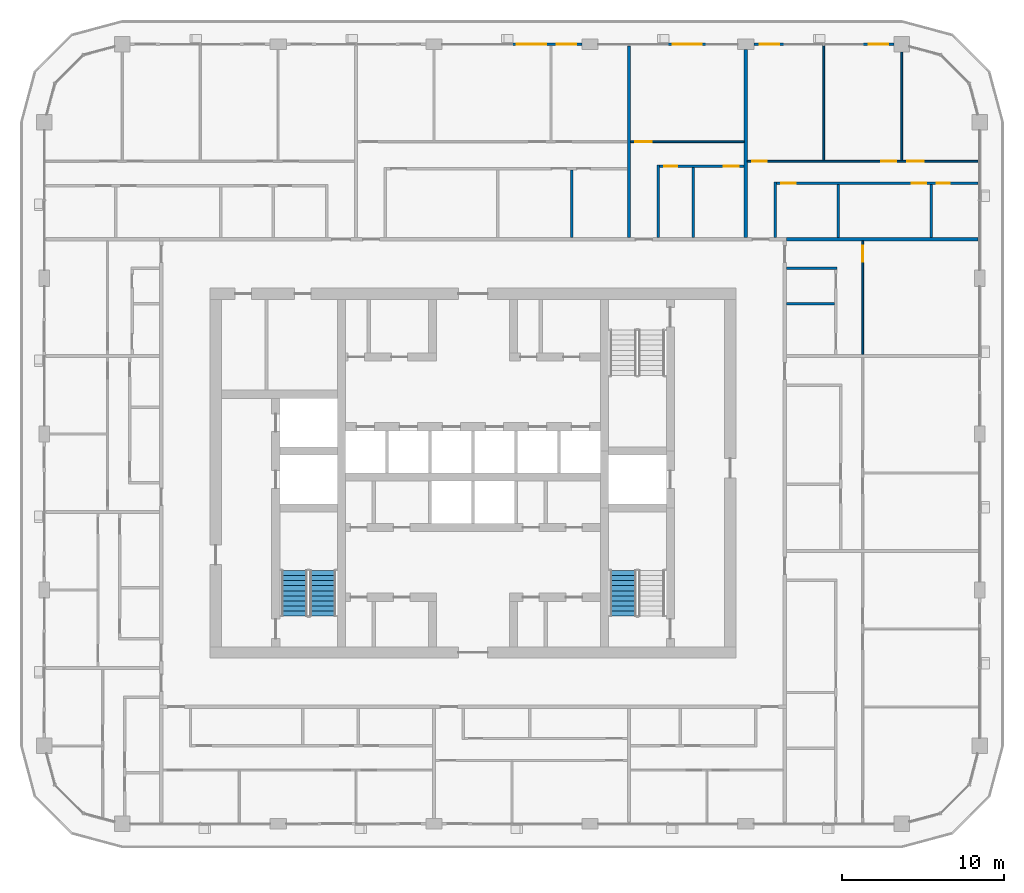
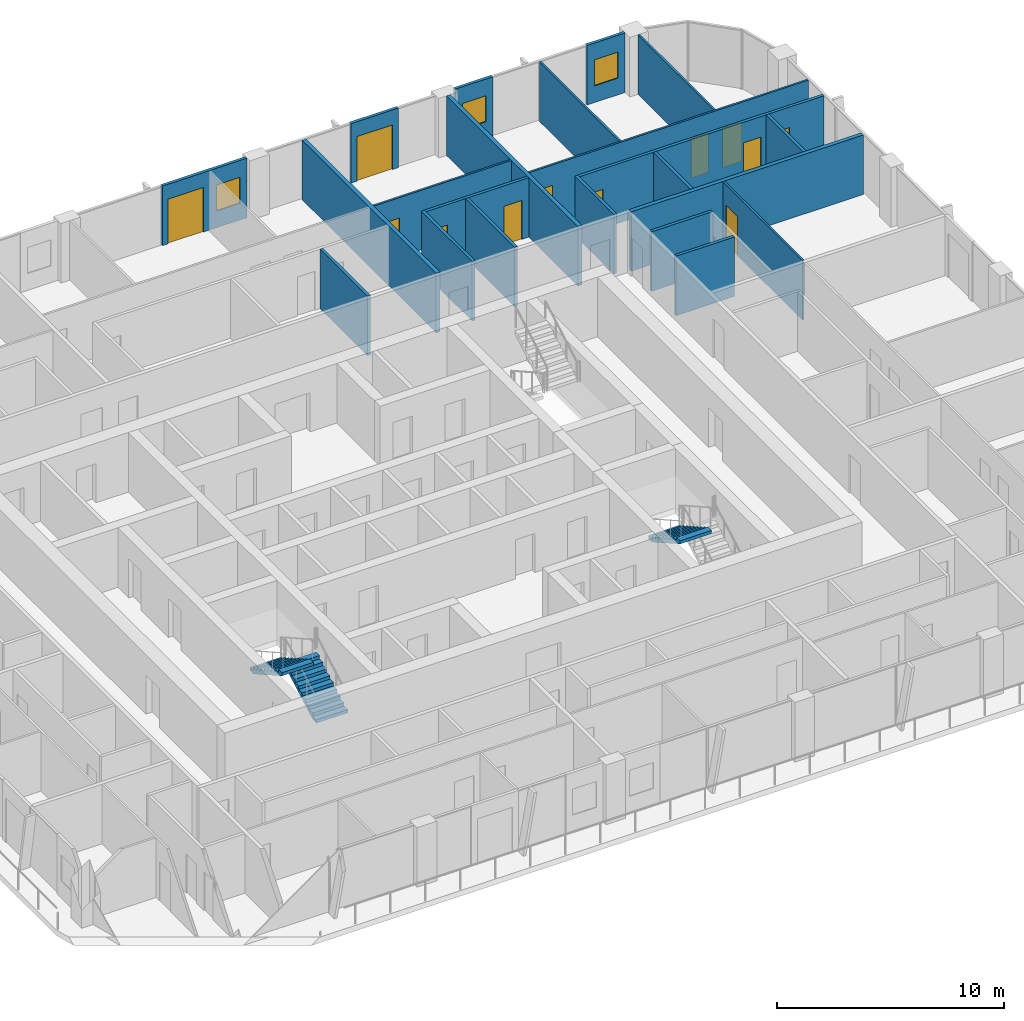
# One storey, part 15 of 23: 22 walls, 12 doors, 3 stair flights, 3 windows, 15 openings, 2 elements without a shape of their own.
"""IFC4 building model written with IfcOpenShell, lengths in metres."""

from ifc_helpers import new_model, si_unit, direction, frame, frame_2d, origin, place, context, subcontext, project, spatial, polyline, rectangle, outline, extrude, material, layer, layer_set, type_object, element, fill, aggregate, save


model = new_model("IFC4")

# Units and contexts
model_context = context("Model", 3, precision=1e-05, world=origin(), true_north=direction((0.0, 1.0)))
body_context = subcontext(model_context, "Body", "Model", "MODEL_VIEW")
ifc_project = project(units=[si_unit("LENGTHUNIT", "METRE"), si_unit("AREAUNIT", "SQUARE_METRE"), si_unit("VOLUMEUNIT", "CUBIC_METRE"), si_unit("PLANEANGLEUNIT", "RADIAN"), si_unit("MASSUNIT", "GRAM", prefix="KILO")], contexts=[model_context])

# Site, building, storey
site_placement = place(None, origin())
site = spatial("IfcSite", under=ifc_project, at=site_placement, CompositionType="ELEMENT")
building_placement = place(site_placement, origin())
building = spatial("IfcBuilding", under=site, at=building_placement, Name="Madar Terraces", CompositionType="ELEMENT")
storey_placement = place(building_placement, frame((0.0, 0.0, 212.300048828125)))
storey = spatial("IfcBuildingStorey", under=building, at=storey_placement, Name="L55", CompositionType="ELEMENT", Elevation=212.300048828125)

# Wall, opening, window
ifc_material_1 = material(Name="Aluminium composite panel, black, over insulated backing", Category="aluminium")
ifc_layer_1 = layer(ifc_material_1, 0.14990234375)
ifc_layer_set_1 = layer_set([ifc_layer_1], Name="Facade bay panel 150")
wall_type_1 = type_object("IfcWallType", Name="Facade bay panel 150", PredefinedType="SOLIDWALL", material=ifc_layer_set_1)
wall_1_placement = place(storey_placement, frame((57.125, 52.800048828125, 0.0), z_axis=(0.0, 0.0, 1.0), x_axis=(-1.0, 0.0, 0.0)))
wall_1 = element("IfcWall", 1, at=wall_1_placement, inside=storey, type_object=wall_type_1, Name="Facade bay panel", PredefinedType="SOLIDWALL", context=body_context, shape_type="SweptSolid", body=[
    extrude(rectangle(XDim=1.925048828125, YDim=0.14990234375, at=frame_2d((0.96240234375, 0.0))), origin(), (0.0, 0.0, 1.0), 3.199951171875),
])
opening_1_placement = place(wall_1_placement, frame((0.362548828125, 0.0, 0.89990234375)))
opening_1 = element("IfcOpeningElement", 2, at=opening_1_placement, cuts=wall_1, Name="Opening W1", PredefinedType="OPENING", context=body_context, shape_type="SweptSolid", body=[
    extrude(rectangle(XDim=1.199951171875, YDim=1.39990234375, at=frame_2d((0.60009765625, 0.699951171875))), frame((0.0, 0.0849609375, 0.0), z_axis=(0.0, -1.0, 0.0), x_axis=(1.0, 0.0, 0.0)), (0.0, 0.0, 1.0), 0.169921875),
])
ifc_material_2 = material(Name="Glass, clear, with black aluminium frame", Category="aluminium")
window_type = type_object("IfcWindowType", Name="Vent window 1200 x 1400", PartitioningType="SINGLE_PANEL", PredefinedType="WINDOW", material=ifc_material_2)
window_1_placement = place(opening_1_placement, origin())
window_1 = element("IfcWindow", 3, at=window_1_placement, inside=storey, type_object=window_type, Name="Operable vent window", OverallHeight=1.39990234375, OverallWidth=1.199951171875, PartitioningType="SINGLE_PANEL", PredefinedType="WINDOW", context=body_context, shape_type="SweptSolid", body=[
    extrude(rectangle(XDim=1.199951171875, YDim=1.39990234375, at=frame_2d((0.60009765625, 0.699951171875))), frame((0.0, 0.030029296875, 0.0), z_axis=(0.0, -1.0, 0.0), x_axis=(1.0, 0.0, 0.0)), (0.0, 0.0, 1.0), 0.06005859375),
])
fill(opening_1, window_1)

wall_2_placement = place(storey_placement, frame((50.39990234375, 52.800048828125, 0.0), z_axis=(0.0, 0.0, 1.0), x_axis=(-1.0, 0.0, 0.0)))
wall_2 = element("IfcWall", 4, at=wall_2_placement, inside=storey, type_object=wall_type_1, Name="Facade bay panel", PredefinedType="SOLIDWALL", context=body_context, shape_type="SweptSolid", body=[
    extrude(rectangle(XDim=1.89990234375, YDim=0.14990234375, at=frame_2d((0.949951171875, 0.0))), origin(), (0.0, 0.0, 1.0), 3.199951171875),
])
opening_2_placement = place(wall_2_placement, frame((0.35009765625, 0.0, 0.89990234375)))
opening_2 = element("IfcOpeningElement", 5, at=opening_2_placement, cuts=wall_2, Name="Opening W1", PredefinedType="OPENING", context=body_context, shape_type="SweptSolid", body=[
    extrude(rectangle(XDim=1.199951171875, YDim=1.39990234375, at=frame_2d((0.60009765625, 0.699951171875))), frame((0.0, 0.0849609375, 0.0), z_axis=(0.0, -1.0, 0.0), x_axis=(1.0, 0.0, 0.0)), (0.0, 0.0, 1.0), 0.169921875),
])
window_2_placement = place(opening_2_placement, origin())
window_2 = element("IfcWindow", 6, at=window_2_placement, inside=storey, type_object=window_type, Name="Operable vent window", OverallHeight=1.39990234375, OverallWidth=1.199951171875, PartitioningType="SINGLE_PANEL", PredefinedType="WINDOW", context=body_context, shape_type="SweptSolid", body=[
    extrude(rectangle(XDim=1.199951171875, YDim=1.39990234375, at=frame_2d((0.60009765625, 0.699951171875))), frame((0.0, 0.030029296875, 0.0), z_axis=(0.0, -1.0, 0.0), x_axis=(1.0, 0.0, 0.0)), (0.0, 0.0, 1.0), 0.06005859375),
])
fill(opening_2, window_2)

# Wall, opening, door
wall_3_placement = place(storey_placement, frame((45.60009765625, 52.800048828125, 0.0), z_axis=(0.0, 0.0, 1.0), x_axis=(-1.0, 0.0, 0.0)))
wall_3 = element("IfcWall", 7, at=wall_3_placement, inside=storey, type_object=wall_type_1, Name="Facade bay panel", PredefinedType="SOLIDWALL", context=body_context, shape_type="SweptSolid", body=[
    extrude(rectangle(XDim=2.400146484375, YDim=0.14990234375, at=frame_2d((1.2001953125, 0.0))), origin(), (0.0, 0.0, 1.0), 3.199951171875),
])
opening_3_placement = place(wall_3_placement, frame((0.300048828125, 0.0, 0.0)))
opening_3 = element("IfcOpeningElement", 8, at=opening_3_placement, cuts=wall_3, Name="Opening ED1", PredefinedType="OPENING", context=body_context, shape_type="SweptSolid", body=[
    extrude(rectangle(XDim=1.800048828125, YDim=2.39990234375, at=frame_2d((0.89990234375, 1.199951171875))), frame((0.0, 0.0849609375, 0.0), z_axis=(0.0, -1.0, 0.0), x_axis=(1.0, 0.0, 0.0)), (0.0, 0.0, 1.0), 0.169921875),
])
ifc_material_3 = material(Name="Glass, clear, with black aluminium frame", Category="aluminium")
door_type_1 = type_object("IfcDoorType", Name="Balcony and terrace sliding door 1800 x 2400", OperationType="SLIDING_TO_LEFT", PredefinedType="DOOR", material=ifc_material_3)
door_1_placement = place(opening_3_placement, origin())
door_1 = element("IfcDoor", 9, at=door_1_placement, inside=storey, type_object=door_type_1, Name="Balcony door", OperationType="SLIDING_TO_LEFT", OverallHeight=2.39990234375, OverallWidth=1.800048828125, PredefinedType="DOOR", context=body_context, shape_type="SweptSolid", body=[
    extrude(rectangle(XDim=1.800048828125, YDim=2.39990234375, at=frame_2d((0.89990234375, 1.199951171875))), frame((0.0, 0.02490234375, 0.0), z_axis=(0.0, -1.0, 0.0), x_axis=(1.0, 0.0, 0.0)), (0.0, 0.0, 1.0), 0.050048828125),
])
fill(opening_3, door_1)

# Wall, openings, door, window
wall_4_placement = place(storey_placement, frame((37.89990234375, 52.800048828125, 0.0), z_axis=(0.0, 0.0, 1.0), x_axis=(-1.0, 0.0, 0.0)))
wall_4 = element("IfcWall", 10, at=wall_4_placement, inside=storey, type_object=wall_type_1, Name="Facade bay panel", PredefinedType="SOLIDWALL", context=body_context, shape_type="SweptSolid", body=[
    extrude(rectangle(XDim=4.2998046875, YDim=0.14990234375, at=frame_2d((2.14990234375, 0.0))), origin(), (0.0, 0.0, 1.0), 3.199951171875),
])
opening_4_placement = place(wall_4_placement, frame((0.35009765625, 0.0, 0.89990234375)))
opening_4 = element("IfcOpeningElement", 11, at=opening_4_placement, cuts=wall_4, Name="Opening W1", PredefinedType="OPENING", context=body_context, shape_type="SweptSolid", body=[
    extrude(rectangle(XDim=1.199951171875, YDim=1.39990234375, at=frame_2d((0.60009765625, 0.699951171875))), frame((0.0, 0.0849609375, 0.0), z_axis=(0.0, -1.0, 0.0), x_axis=(1.0, 0.0, 0.0)), (0.0, 0.0, 1.0), 0.169921875),
])
opening_5_placement = place(wall_4_placement, frame((2.199951171875, 0.0, 0.0)))
opening_5 = element("IfcOpeningElement", 12, at=opening_5_placement, cuts=wall_4, Name="Opening ED1", PredefinedType="OPENING", context=body_context, shape_type="SweptSolid", body=[
    extrude(rectangle(XDim=1.800048828125, YDim=2.39990234375, at=frame_2d((0.89990234375, 1.199951171875))), frame((0.0, 0.0849609375, 0.0), z_axis=(0.0, -1.0, 0.0), x_axis=(1.0, 0.0, 0.0)), (0.0, 0.0, 1.0), 0.169921875),
])
door_2_placement = place(opening_5_placement, origin())
door_2 = element("IfcDoor", 13, at=door_2_placement, inside=storey, type_object=door_type_1, Name="Balcony door", OperationType="SLIDING_TO_RIGHT", OverallHeight=2.39990234375, OverallWidth=1.800048828125, PredefinedType="DOOR", context=body_context, shape_type="SweptSolid", body=[
    extrude(rectangle(XDim=1.800048828125, YDim=2.39990234375, at=frame_2d((0.89990234375, 1.199951171875))), frame((0.0, 0.02490234375, 0.0), z_axis=(0.0, -1.0, 0.0), x_axis=(1.0, 0.0, 0.0)), (0.0, 0.0, 1.0), 0.050048828125),
])
fill(opening_5, door_2)
window_3_placement = place(opening_4_placement, origin())
window_3 = element("IfcWindow", 14, at=window_3_placement, inside=storey, type_object=window_type, Name="Operable vent window", OverallHeight=1.39990234375, OverallWidth=1.199951171875, PartitioningType="SINGLE_PANEL", PredefinedType="WINDOW", context=body_context, shape_type="SweptSolid", body=[
    extrude(rectangle(XDim=1.199951171875, YDim=1.39990234375, at=frame_2d((0.60009765625, 0.699951171875))), frame((0.0, 0.030029296875, 0.0), z_axis=(0.0, -1.0, 0.0), x_axis=(1.0, 0.0, 0.0)), (0.0, 0.0, 1.0), 0.06005859375),
])
fill(opening_4, window_3)

# Wall, opening, door
ifc_material_4 = material(Name="Gypsum board on steel studs", Category="steel")
ifc_layer_2 = layer(ifc_material_4, 0.10009765625)
ifc_layer_set_2 = layer_set([ifc_layer_2], Name="Flat partition 100")
wall_type_2 = type_object("IfcWallType", Name="Flat partition 100", PredefinedType="PARTITIONING", material=ifc_layer_set_2)
wall_5_placement = place(storey_placement, frame((55.199951171875, 40.699951171875, 0.0), z_axis=(0.0, 0.0, 1.0), x_axis=(0.0, -1.0, 0.0)))
wall_5 = element("IfcWall", 15, at=wall_5_placement, inside=storey, type_object=wall_type_2, Name="Flat partition 100", PredefinedType="PARTITIONING", context=body_context, shape_type="SweptSolid", body=[
    extrude(rectangle(XDim=7.0, YDim=0.10009765625, at=frame_2d((3.5, 0.0))), origin(), (0.0, 0.0, 1.0), 3.199951171875),
])
opening_6_placement = place(wall_5_placement, frame((0.300048828125, 0.0, 0.0)))
opening_6 = element("IfcOpeningElement", 16, at=opening_6_placement, cuts=wall_5, Name="Opening D3", PredefinedType="OPENING", context=body_context, shape_type="SweptSolid", body=[
    extrude(rectangle(XDim=1.0, YDim=2.10009765625, at=frame_2d((0.5, 1.050048828125))), frame((0.0, 0.06005859375, 0.0), z_axis=(0.0, -1.0, 0.0), x_axis=(1.0, 0.0, 0.0)), (0.0, 0.0, 1.0), 0.1201171875),
])
ifc_material_5 = material(Name="Timber door leaf", Category="wood")
door_type_2 = type_object("IfcDoorType", Name="Flat living room door 1000", OperationType="NOTDEFINED", PredefinedType="DOOR", material=ifc_material_5)
door_3_placement = place(opening_6_placement, origin())
door_3 = element("IfcDoor", 17, at=door_3_placement, inside=storey, type_object=door_type_2, Name="Flat living room door 1000", OperationType="SINGLE_SWING_LEFT", OverallHeight=2.10009765625, OverallWidth=1.0, PredefinedType="DOOR", context=body_context, shape_type="SweptSolid", body=[
    extrude(rectangle(XDim=1.0, YDim=2.10009765625, at=frame_2d((0.5, 1.050048828125))), frame((0.0, 0.02490234375, 0.0), z_axis=(0.0, -1.0, 0.0), x_axis=(1.0, 0.0, 0.0)), (0.0, 0.0, 1.0), 0.050048828125),
])
fill(opening_6, door_3)

# Walls
wall_6_placement = place(storey_placement, frame((52.800048828125, 45.64990234375, 0.0), z_axis=(0.0, 0.0, 1.0), x_axis=(0.0, 1.0, 0.0)))
element("IfcWall", 18, at=wall_6_placement, inside=storey, type_object=wall_type_2, Name="Flat partition 100", PredefinedType="PARTITIONING", context=body_context, shape_type="SweptSolid", body=[
    extrude(rectangle(XDim=7.050048828125, YDim=0.10009765625, at=frame_2d((3.52490234375, 0.0))), origin(), (0.0, 0.0, 1.0), 3.199951171875),
])
wall_7_placement = place(storey_placement, frame((57.60009765625, 45.64990234375, 0.0), z_axis=(0.0, 0.0, 1.0), x_axis=(0.0, 1.0, 0.0)))
element("IfcWall", 19, at=wall_7_placement, inside=storey, type_object=wall_type_2, Name="Flat partition 100", PredefinedType="PARTITIONING", context=body_context, shape_type="SweptSolid", body=[
    extrude(rectangle(XDim=6.675048828125, YDim=0.10009765625, at=frame_2d((3.33740234375, 0.0))), origin(), (0.0, 0.0, 1.0), 3.199951171875),
])

# Wall, openings, doors
wall_8_placement = place(storey_placement, frame((48.10009765625, 45.60009765625, 0.0), z_axis=(0.0, 0.0, 1.0), x_axis=(1.0, 0.0, 0.0)))
wall_8 = element("IfcWall", 20, at=wall_8_placement, inside=storey, type_object=wall_type_2, Name="Flat partition 100", PredefinedType="PARTITIONING", context=body_context, shape_type="SweptSolid", body=[
    extrude(rectangle(XDim=14.199951171875, YDim=0.10009765625, at=frame_2d((7.10009765625, 0.0))), origin(), (0.0, 0.0, 1.0), 3.199951171875),
])
opening_7_placement = place(wall_8_placement, frame((0.300048828125, 0.0, 0.0)))
opening_7 = element("IfcOpeningElement", 21, at=opening_7_placement, cuts=wall_8, Name="Opening D2", PredefinedType="OPENING", context=body_context, shape_type="SweptSolid", body=[
    extrude(rectangle(XDim=0.89990234375, YDim=2.10009765625, at=frame_2d((0.449951171875, 1.050048828125))), frame((0.0, 0.06005859375, 0.0), z_axis=(0.0, -1.0, 0.0), x_axis=(1.0, 0.0, 0.0)), (0.0, 0.0, 1.0), 0.1201171875),
])
opening_8_placement = place(wall_8_placement, frame((8.25, 0.0, 0.0)))
opening_8 = element("IfcOpeningElement", 22, at=opening_8_placement, cuts=wall_8, Name="Opening D2", PredefinedType="OPENING", context=body_context, shape_type="SweptSolid", body=[
    extrude(rectangle(XDim=0.89990234375, YDim=2.10009765625, at=frame_2d((0.449951171875, 1.050048828125))), frame((0.0, 0.06005859375, 0.0), z_axis=(0.0, -1.0, 0.0), x_axis=(1.0, 0.0, 0.0)), (0.0, 0.0, 1.0), 0.1201171875),
])
opening_9_placement = place(wall_8_placement, frame((9.85009765625, 0.0, 0.0)))
opening_9 = element("IfcOpeningElement", 23, at=opening_9_placement, cuts=wall_8, Name="Opening D3", PredefinedType="OPENING", context=body_context, shape_type="SweptSolid", body=[
    extrude(rectangle(XDim=1.0, YDim=2.10009765625, at=frame_2d((0.5, 1.050048828125))), frame((0.0, 0.06005859375, 0.0), z_axis=(0.0, -1.0, 0.0), x_axis=(1.0, 0.0, 0.0)), (0.0, 0.0, 1.0), 0.1201171875),
])
door_4_placement = place(opening_9_placement, origin())
door_4 = element("IfcDoor", 24, at=door_4_placement, inside=storey, type_object=door_type_2, Name="Flat living room door 1000", OperationType="SINGLE_SWING_LEFT", OverallHeight=2.10009765625, OverallWidth=1.0, PredefinedType="DOOR", context=body_context, shape_type="SweptSolid", body=[
    extrude(rectangle(XDim=1.0, YDim=2.10009765625, at=frame_2d((0.5, 1.050048828125))), frame((0.0, 0.02490234375, 0.0), z_axis=(0.0, -1.0, 0.0), x_axis=(1.0, 0.0, 0.0)), (0.0, 0.0, 1.0), 0.050048828125),
])
fill(opening_9, door_4)
ifc_material_6 = material(Name="Timber door leaf", Category="wood")
door_type_3 = type_object("IfcDoorType", Name="Flat room door 900", OperationType="NOTDEFINED", PredefinedType="DOOR", material=ifc_material_6)
door_5_placement = place(opening_7_placement, origin())
door_5 = element("IfcDoor", 25, at=door_5_placement, inside=storey, type_object=door_type_3, Name="Flat room door 900", OperationType="SINGLE_SWING_LEFT", OverallHeight=2.10009765625, OverallWidth=0.89990234375, PredefinedType="DOOR", context=body_context, shape_type="SweptSolid", body=[
    extrude(rectangle(XDim=0.89990234375, YDim=2.10009765625, at=frame_2d((0.449951171875, 1.050048828125))), frame((0.0, 0.02490234375, 0.0), z_axis=(0.0, -1.0, 0.0), x_axis=(1.0, 0.0, 0.0)), (0.0, 0.0, 1.0), 0.050048828125),
])
fill(opening_7, door_5)
door_6_placement = place(opening_8_placement, origin())
door_6 = element("IfcDoor", 26, at=door_6_placement, inside=storey, type_object=door_type_3, Name="Flat room door 900", OperationType="SINGLE_SWING_RIGHT", OverallHeight=2.10009765625, OverallWidth=0.89990234375, PredefinedType="DOOR", context=body_context, shape_type="SweptSolid", body=[
    extrude(rectangle(XDim=0.89990234375, YDim=2.10009765625, at=frame_2d((0.449951171875, 1.050048828125))), frame((0.0, 0.02490234375, 0.0), z_axis=(0.0, -1.0, 0.0), x_axis=(1.0, 0.0, 0.0)), (0.0, 0.0, 1.0), 0.050048828125),
])
fill(opening_8, door_6)

# Wall, opening, door
wall_9_placement = place(storey_placement, frame((40.89990234375, 46.800048828125, 0.0), z_axis=(0.0, 0.0, 1.0), x_axis=(1.0, 0.0, 0.0)))
wall_9 = element("IfcWall", 27, at=wall_9_placement, inside=storey, type_object=wall_type_2, Name="Flat partition 100", PredefinedType="PARTITIONING", context=body_context, shape_type="SweptSolid", body=[
    extrude(rectangle(XDim=7.0, YDim=0.10009765625, at=frame_2d((3.5, 0.0))), origin(), (0.0, 0.0, 1.0), 3.199951171875),
])
opening_10_placement = place(wall_9_placement, frame((0.300048828125, 0.0, 0.0)))
opening_10 = element("IfcOpeningElement", 28, at=opening_10_placement, cuts=wall_9, Name="Opening D3", PredefinedType="OPENING", context=body_context, shape_type="SweptSolid", body=[
    extrude(rectangle(XDim=1.0, YDim=2.10009765625, at=frame_2d((0.5, 1.050048828125))), frame((0.0, 0.06005859375, 0.0), z_axis=(0.0, -1.0, 0.0), x_axis=(1.0, 0.0, 0.0)), (0.0, 0.0, 1.0), 0.1201171875),
])
door_7_placement = place(opening_10_placement, origin())
door_7 = element("IfcDoor", 29, at=door_7_placement, inside=storey, type_object=door_type_2, Name="Flat living room door 1000", OperationType="SINGLE_SWING_LEFT", OverallHeight=2.10009765625, OverallWidth=1.0, PredefinedType="DOOR", context=body_context, shape_type="SweptSolid", body=[
    extrude(rectangle(XDim=1.0, YDim=2.10009765625, at=frame_2d((0.5, 1.050048828125))), frame((0.0, 0.02490234375, 0.0), z_axis=(0.0, -1.0, 0.0), x_axis=(1.0, 0.0, 0.0)), (0.0, 0.0, 1.0), 0.050048828125),
])
fill(opening_10, door_7)

# Walls
ifc_material_7 = material(Name="Lightweight blockwork", Category="masonry")
ifc_layer_3 = layer(ifc_material_7, 0.199951171875)
ifc_layer_set_3 = layer_set([ifc_layer_3], Name="Flat party and entrance wall 200")
wall_type_3 = type_object("IfcWallType", Name="Flat party and entrance wall 200", PredefinedType="PARTITIONING", material=ifc_layer_set_3)
wall_10_placement = place(storey_placement, frame((50.5, 40.800048828125, 0.0), z_axis=(0.0, 0.0, 1.0), x_axis=(1.0, 0.0, 0.0)))
element("IfcWall", 30, at=wall_10_placement, inside=storey, type_object=wall_type_3, Name="Flat party and entrance wall 200", PredefinedType="PARTITIONING", context=body_context, shape_type="SweptSolid", body=[
    extrude(rectangle(XDim=11.800048828125, YDim=0.199951171875, at=frame_2d((5.89990234375, 0.0))), origin(), (0.0, 0.0, 1.0), 3.199951171875),
])
wall_11_placement = place(storey_placement, frame((48.0, 52.47509765625, 0.0), z_axis=(0.0, 0.0, 1.0), x_axis=(0.0, -1.0, 0.0)))
element("IfcWall", 31, at=wall_11_placement, inside=storey, type_object=wall_type_3, Name="Flat party and entrance wall 200", PredefinedType="PARTITIONING", context=body_context, shape_type="SweptSolid", body=[
    extrude(rectangle(XDim=11.5751953125, YDim=0.199951171875, at=frame_2d((5.78759765625, 0.0))), origin(), (0.0, 0.0, 1.0), 3.199951171875),
])
wall_12_placement = place(storey_placement, frame((40.800048828125, 52.699951171875, 0.0), z_axis=(0.0, 0.0, 1.0), x_axis=(0.0, -1.0, 0.0)))
element("IfcWall", 32, at=wall_12_placement, inside=storey, type_object=wall_type_3, Name="Flat party and entrance wall 200", PredefinedType="PARTITIONING", context=body_context, shape_type="SweptSolid", body=[
    extrude(rectangle(XDim=11.800048828125, YDim=0.199951171875, at=frame_2d((5.89990234375, 0.0))), origin(), (0.0, 0.0, 1.0), 3.199951171875),
])
ifc_material_8 = material(Name="Lightweight blockwork", Category="masonry")
ifc_layer_4 = layer(ifc_material_8, 0.14990234375)
ifc_layer_set_4 = layer_set([ifc_layer_4], Name="Flat wet-room partition 150")
wall_type_4 = type_object("IfcWallType", Name="Flat wet-room partition 150", PredefinedType="PARTITIONING", material=ifc_layer_set_4)
wall_13_placement = place(storey_placement, frame((50.5, 36.8349609375, 0.0), z_axis=(0.0, 0.0, 1.0), x_axis=(1.0, 0.0, 0.0)))
element("IfcWall", 33, at=wall_13_placement, inside=storey, type_object=wall_type_4, Name="Flat wet-room partition 150", PredefinedType="PARTITIONING", context=body_context, shape_type="SweptSolid", body=[
    extrude(rectangle(XDim=2.97509765625, YDim=0.14990234375, at=frame_2d((1.487548828125, 0.0))), origin(), (0.0, 0.0, 1.0), 3.199951171875),
])
wall_14_placement = place(storey_placement, frame((50.5, 39.0, 0.0), z_axis=(0.0, 0.0, 1.0), x_axis=(1.0, 0.0, 0.0)))
element("IfcWall", 34, at=wall_14_placement, inside=storey, type_object=wall_type_4, Name="Flat wet-room partition 150", PredefinedType="PARTITIONING", context=body_context, shape_type="SweptSolid", body=[
    extrude(rectangle(XDim=3.125, YDim=0.14990234375, at=frame_2d((1.5625, 0.0))), origin(), (0.0, 0.0, 1.0), 3.199951171875),
])
for number, where, z_axis, x_axis, name in (
    (35, (53.697998046875, 40.89990234375, 0.0), (0.0, 0.0, 1.0), (0.0, 1.0, 0.0), "Flat wet-room partition 150"),
    (36, (59.4326171875, 40.89990234375, 0.0), (0.0, 0.0, 1.0), (0.0, 1.0, 0.0), "Flat wet-room partition 150"),
):
    element("IfcWall", number, at=place(storey_placement, frame(where, z_axis=z_axis, x_axis=x_axis)), inside=storey, type_object=wall_type_4, Name=name, PredefinedType="PARTITIONING", context=body_context, shape_type="SweptSolid", body=[
        extrude(rectangle(XDim=3.275146484375, YDim=0.14990234375, at=frame_2d((1.6376953125, 0.0))), origin(), (0.0, 0.0, 1.0), 3.199951171875),
    ])
wall_15_placement = place(storey_placement, frame((49.800048828125, 40.89990234375, 0.0), z_axis=(0.0, 0.0, 1.0), x_axis=(0.0, 1.0, 0.0)))
element("IfcWall", 37, at=wall_15_placement, inside=storey, type_object=wall_type_4, Name="Flat wet-room partition 150", PredefinedType="PARTITIONING", context=body_context, shape_type="SweptSolid", body=[
    extrude(rectangle(XDim=3.425048828125, YDim=0.14990234375, at=frame_2d((1.71240234375, 0.0))), origin(), (0.0, 0.0, 1.0), 3.199951171875),
])

# Wall, openings, doors
wall_16_placement = place(storey_placement, frame((62.300048828125, 44.25, 0.0), z_axis=(0.0, 0.0, 1.0), x_axis=(-1.0, 0.0, 0.0)))
wall_16 = element("IfcWall", 38, at=wall_16_placement, inside=storey, type_object=wall_type_4, Name="Flat wet-room partition 150", PredefinedType="PARTITIONING", context=body_context, shape_type="SweptSolid", body=[
    extrude(rectangle(XDim=12.425048828125, YDim=0.14990234375, at=frame_2d((6.21240234375, 0.0))), origin(), (0.0, 0.0, 1.0), 3.199951171875),
])
opening_11_placement = place(wall_16_placement, frame((11.22509765625, 0.0, 0.0)))
opening_11 = element("IfcOpeningElement", 39, at=opening_11_placement, cuts=wall_16, Name="Opening D5", PredefinedType="OPENING", context=body_context, shape_type="SweptSolid", body=[
    extrude(rectangle(XDim=0.89990234375, YDim=2.10009765625, at=frame_2d((0.449951171875, 1.050048828125))), frame((0.0, 0.0849609375, 0.0), z_axis=(0.0, -1.0, 0.0), x_axis=(1.0, 0.0, 0.0)), (0.0, 0.0, 1.0), 0.169921875),
])
opening_12_placement = place(wall_16_placement, frame((3.1923828125, 0.0, 0.0)))
opening_12 = element("IfcOpeningElement", 40, at=opening_12_placement, cuts=wall_16, Name="Opening D2", PredefinedType="OPENING", context=body_context, shape_type="SweptSolid", body=[
    extrude(rectangle(XDim=0.89990234375, YDim=2.10009765625, at=frame_2d((0.449951171875, 1.050048828125))), frame((0.0, 0.0849609375, 0.0), z_axis=(0.0, -1.0, 0.0), x_axis=(1.0, 0.0, 0.0)), (0.0, 0.0, 1.0), 0.169921875),
])
opening_13_placement = place(wall_16_placement, frame((1.7421875, 0.0, 0.0)))
opening_13 = element("IfcOpeningElement", 41, at=opening_13_placement, cuts=wall_16, Name="Opening D4", PredefinedType="OPENING", context=body_context, shape_type="SweptSolid", body=[
    extrude(rectangle(XDim=0.800048828125, YDim=2.10009765625, at=frame_2d((0.39990234375, 1.050048828125))), frame((0.0, 0.0849609375, 0.0), z_axis=(0.0, -1.0, 0.0), x_axis=(1.0, 0.0, 0.0)), (0.0, 0.0, 1.0), 0.169921875),
])
ifc_material_9 = material(Name="Timber door leaf", Category="wood")
door_type_4 = type_object("IfcDoorType", Name="Flat accessible bathroom door 900", OperationType="NOTDEFINED", PredefinedType="DOOR", material=ifc_material_9)
door_8_placement = place(opening_11_placement, origin())
door_8 = element("IfcDoor", 42, at=door_8_placement, inside=storey, type_object=door_type_4, Name="Flat accessible bathroom door 900", OperationType="SINGLE_SWING_RIGHT", OverallHeight=2.10009765625, OverallWidth=0.89990234375, PredefinedType="DOOR", context=body_context, shape_type="SweptSolid", body=[
    extrude(rectangle(XDim=0.89990234375, YDim=2.10009765625, at=frame_2d((0.449951171875, 1.050048828125))), frame((0.0, 0.02490234375, 0.0), z_axis=(0.0, -1.0, 0.0), x_axis=(1.0, 0.0, 0.0)), (0.0, 0.0, 1.0), 0.050048828125),
])
fill(opening_11, door_8)
ifc_material_10 = material(Name="Timber door leaf", Category="wood")
door_type_5 = type_object("IfcDoorType", Name="Flat bathroom door 800", OperationType="NOTDEFINED", PredefinedType="DOOR", material=ifc_material_10)
door_9_placement = place(opening_13_placement, origin())
door_9 = element("IfcDoor", 43, at=door_9_placement, inside=storey, type_object=door_type_5, Name="Flat bathroom door 800", OperationType="SINGLE_SWING_RIGHT", OverallHeight=2.10009765625, OverallWidth=0.800048828125, PredefinedType="DOOR", context=body_context, shape_type="SweptSolid", body=[
    extrude(rectangle(XDim=0.800048828125, YDim=2.10009765625, at=frame_2d((0.39990234375, 1.050048828125))), frame((0.0, 0.02490234375, 0.0), z_axis=(0.0, -1.0, 0.0), x_axis=(1.0, 0.0, 0.0)), (0.0, 0.0, 1.0), 0.050048828125),
])
fill(opening_13, door_9)
door_10_placement = place(opening_12_placement, origin())
door_10 = element("IfcDoor", 44, at=door_10_placement, inside=storey, type_object=door_type_3, Name="Flat room door 900", OperationType="SINGLE_SWING_LEFT", OverallHeight=2.10009765625, OverallWidth=0.89990234375, PredefinedType="DOOR", context=body_context, shape_type="SweptSolid", body=[
    extrude(rectangle(XDim=0.89990234375, YDim=2.10009765625, at=frame_2d((0.449951171875, 1.050048828125))), frame((0.0, 0.02490234375, 0.0), z_axis=(0.0, -1.0, 0.0), x_axis=(1.0, 0.0, 0.0)), (0.0, 0.0, 1.0), 0.050048828125),
])
fill(opening_12, door_10)

# Walls
wall_17_placement = place(storey_placement, frame((44.764892578125, 40.89990234375, 0.0), z_axis=(0.0, 0.0, 1.0), x_axis=(0.0, 1.0, 0.0)))
element("IfcWall", 45, at=wall_17_placement, inside=storey, type_object=wall_type_4, Name="Flat wet-room partition 150", PredefinedType="PARTITIONING", context=body_context, shape_type="SweptSolid", body=[
    extrude(rectangle(XDim=4.3251953125, YDim=0.14990234375, at=frame_2d((2.16259765625, 0.0))), origin(), (0.0, 0.0, 1.0), 3.199951171875),
])
wall_18_placement = place(storey_placement, frame((42.60009765625, 40.89990234375, 0.0), z_axis=(0.0, 0.0, 1.0), x_axis=(0.0, 1.0, 0.0)))
element("IfcWall", 46, at=wall_18_placement, inside=storey, type_object=wall_type_4, Name="Flat wet-room partition 150", PredefinedType="PARTITIONING", context=body_context, shape_type="SweptSolid", body=[
    extrude(rectangle(XDim=4.47509765625, YDim=0.14990234375, at=frame_2d((2.237548828125, 0.0))), origin(), (0.0, 0.0, 1.0), 3.199951171875),
])

# Wall, openings, doors
wall_19_placement = place(storey_placement, frame((47.89990234375, 45.300048828125, 0.0), z_axis=(0.0, 0.0, 1.0), x_axis=(-1.0, 0.0, 0.0)))
wall_19 = element("IfcWall", 47, at=wall_19_placement, inside=storey, type_object=wall_type_4, Name="Flat wet-room partition 150", PredefinedType="PARTITIONING", context=body_context, shape_type="SweptSolid", body=[
    extrude(rectangle(XDim=5.224853515625, YDim=0.14990234375, at=frame_2d((2.6123046875, 0.0))), origin(), (0.0, 0.0, 1.0), 3.199951171875),
])
opening_14_placement = place(wall_19_placement, frame((4.125, 0.0, 0.0)))
opening_14 = element("IfcOpeningElement", 48, at=opening_14_placement, cuts=wall_19, Name="Opening D4", PredefinedType="OPENING", context=body_context, shape_type="SweptSolid", body=[
    extrude(rectangle(XDim=0.800048828125, YDim=2.10009765625, at=frame_2d((0.39990234375, 1.050048828125))), frame((0.0, 0.0849609375, 0.0), z_axis=(0.0, -1.0, 0.0), x_axis=(1.0, 0.0, 0.0)), (0.0, 0.0, 1.0), 0.169921875),
])
opening_15_placement = place(wall_19_placement, frame((0.35009765625, 0.0, 0.0)))
opening_15 = element("IfcOpeningElement", 49, at=opening_15_placement, cuts=wall_19, Name="Opening D2", PredefinedType="OPENING", context=body_context, shape_type="SweptSolid", body=[
    extrude(rectangle(XDim=0.89990234375, YDim=2.10009765625, at=frame_2d((0.449951171875, 1.050048828125))), frame((0.0, 0.0849609375, 0.0), z_axis=(0.0, -1.0, 0.0), x_axis=(1.0, 0.0, 0.0)), (0.0, 0.0, 1.0), 0.169921875),
])
door_11_placement = place(opening_14_placement, origin())
door_11 = element("IfcDoor", 50, at=door_11_placement, inside=storey, type_object=door_type_5, Name="Flat bathroom door 800", OperationType="SINGLE_SWING_RIGHT", OverallHeight=2.10009765625, OverallWidth=0.800048828125, PredefinedType="DOOR", context=body_context, shape_type="SweptSolid", body=[
    extrude(rectangle(XDim=0.800048828125, YDim=2.10009765625, at=frame_2d((0.39990234375, 1.050048828125))), frame((0.0, 0.02490234375, 0.0), z_axis=(0.0, -1.0, 0.0), x_axis=(1.0, 0.0, 0.0)), (0.0, 0.0, 1.0), 0.050048828125),
])
fill(opening_14, door_11)
door_12_placement = place(opening_15_placement, origin())
door_12 = element("IfcDoor", 51, at=door_12_placement, inside=storey, type_object=door_type_3, Name="Flat room door 900", OperationType="SINGLE_SWING_LEFT", OverallHeight=2.10009765625, OverallWidth=0.89990234375, PredefinedType="DOOR", context=body_context, shape_type="SweptSolid", body=[
    extrude(rectangle(XDim=0.89990234375, YDim=2.10009765625, at=frame_2d((0.449951171875, 1.050048828125))), frame((0.0, 0.02490234375, 0.0), z_axis=(0.0, -1.0, 0.0), x_axis=(1.0, 0.0, 0.0)), (0.0, 0.0, 1.0), 0.050048828125),
])
fill(opening_15, door_12)

# Wall
wall_20_placement = place(storey_placement, frame((37.27880859375, 40.89990234375, 0.0), z_axis=(0.0, 0.0, 1.0), x_axis=(0.0, 1.0, 0.0)))
element("IfcWall", 52, at=wall_20_placement, inside=storey, type_object=wall_type_4, Name="Flat wet-room partition 150", PredefinedType="PARTITIONING", context=body_context, shape_type="SweptSolid", body=[
    extrude(rectangle(XDim=4.175048828125, YDim=0.14990234375, at=frame_2d((2.08740234375, 0.0))), origin(), (0.0, 0.0, 1.0), 3.199951171875),
])

# Stair, stair flights
ifc_material_11 = material(Name="Concrete C50/60", Category="concrete")
stair_type_1 = type_object("IfcStairType", Name="Stair ST1 protected exit", PredefinedType="HALF_TURN_STAIR", material=ifc_material_11)
stair_1_placement = place(storey_placement, origin())
stair_1 = element("IfcStair", 53, at=stair_1_placement, inside=storey, type_object=stair_type_1, Name="L55 Protected Exit Stair ST1", PredefinedType="HALF_TURN_STAIR")
ifc_material_12 = material(Name="Concrete C50/60", Category="concrete")
stair_flight_type_1 = type_object("IfcStairFlightType", Name="Stair flight ST1-F4, 1600 wide, 10 risers", PredefinedType="STRAIGHT", material=ifc_material_12)
stair_flight_1_placement = place(storey_placement, frame((21.949951171875, 17.60009765625, 0.0), z_axis=(0.0, 0.0, 1.0), x_axis=(0.0, 1.0, 0.0)))
stair_flight_1 = element("IfcStairFlight", 54, at=stair_flight_1_placement, type_object=stair_flight_type_1, Name="ST1 flight 1", NumberOfRisers=10, NumberOfTreads=9, PredefinedType="STRAIGHT", RiserHeight=0.175, TreadLength=0.31, context=body_context, shape_type="SweptSolid", body=[
    extrude(outline(polyline([(0.0, 0.0), (0.0, 0.175048828125), (0.31005859375, 0.175048828125), (0.31005859375, 0.35009765625), (0.6201171875, 0.35009765625), (0.6201171875, 0.52490234375), (0.929931640625, 0.52490234375), (0.929931640625, 0.699951171875), (1.239990234375, 0.699951171875), (1.239990234375, 0.875), (1.550048828125, 0.875), (1.550048828125, 1.050048828125), (1.860107421875, 1.050048828125), (1.860107421875, 1.22509765625), (2.169921875, 1.22509765625), (2.169921875, 1.39990234375), (2.47998046875, 1.39990234375), (2.47998046875, 1.574951171875), (2.7900390625, 1.574951171875), (2.7900390625, 1.75), (2.7900390625, 1.40283203125), (0.304931640625, 0.0), (0.0, 0.0)])), frame((0.0, 0.800048828125, 0.0), z_axis=(0.0, -1.0, 0.0), x_axis=(1.0, 0.0, 0.0)), (0.0, 0.0, 1.0), 1.60009765625),
])
stair_flight_2_placement = place(storey_placement, frame((20.199951171875, 20.389892578125, 1.75), z_axis=(0.0, 0.0, 1.0), x_axis=(0.0, -1.0, 0.0)))
stair_flight_2 = element("IfcStairFlight", 55, at=stair_flight_2_placement, type_object=stair_flight_type_1, Name="ST1 flight 2", NumberOfRisers=10, NumberOfTreads=9, PredefinedType="STRAIGHT", RiserHeight=0.175, TreadLength=0.31, context=body_context, shape_type="SweptSolid", body=[
    extrude(outline(polyline([(0.0, 0.0), (0.0, 0.175048828125), (0.31005859375, 0.175048828125), (0.31005859375, 0.35009765625), (0.6201171875, 0.35009765625), (0.6201171875, 0.52490234375), (0.929931640625, 0.52490234375), (0.929931640625, 0.699951171875), (1.239990234375, 0.699951171875), (1.239990234375, 0.875), (1.550048828125, 0.875), (1.550048828125, 1.050048828125), (1.860107421875, 1.050048828125), (1.860107421875, 1.22509765625), (2.169921875, 1.22509765625), (2.169921875, 1.39990234375), (2.47998046875, 1.39990234375), (2.47998046875, 1.574951171875), (2.7900390625, 1.574951171875), (2.7900390625, 1.75), (2.7900390625, 1.40283203125), (0.304931640625, 0.0), (0.0, 0.0)])), frame((0.0, 0.800048828125, 0.0), z_axis=(0.0, -1.0, 0.0), x_axis=(1.0, 0.0, 0.0)), (0.0, 0.0, 1.0), 1.60009765625),
])
aggregate(stair_1, [stair_flight_1, stair_flight_2])

# Stair, stair flight
ifc_material_13 = material(Name="Concrete C50/60", Category="concrete")
stair_type_2 = type_object("IfcStairType", Name="Stair ST3 protected exit", PredefinedType="HALF_TURN_STAIR", material=ifc_material_13)
stair_2_placement = place(storey_placement, origin())
stair_2 = element("IfcStair", 56, at=stair_2_placement, inside=storey, type_object=stair_type_2, Name="L55 Protected Exit Stair ST3", PredefinedType="HALF_TURN_STAIR")
ifc_material_14 = material(Name="Concrete C50/60", Category="concrete")
stair_flight_type_2 = type_object("IfcStairFlightType", Name="Stair flight ST3-F4, 1600 wide, 10 risers", PredefinedType="STRAIGHT", material=ifc_material_14)
stair_flight_3_placement = place(storey_placement, frame((40.449951171875, 20.389892578125, 1.75), z_axis=(0.0, 0.0, 1.0), x_axis=(0.0, -1.0, 0.0)))
stair_flight_3 = element("IfcStairFlight", 57, at=stair_flight_3_placement, type_object=stair_flight_type_2, Name="ST3 flight 2", NumberOfRisers=10, NumberOfTreads=9, PredefinedType="STRAIGHT", RiserHeight=0.175, TreadLength=0.31, context=body_context, shape_type="SweptSolid", body=[
    extrude(outline(polyline([(0.0, 0.0), (0.0, 0.175048828125), (0.31005859375, 0.175048828125), (0.31005859375, 0.35009765625), (0.6201171875, 0.35009765625), (0.6201171875, 0.52490234375), (0.929931640625, 0.52490234375), (0.929931640625, 0.699951171875), (1.239990234375, 0.699951171875), (1.239990234375, 0.875), (1.550048828125, 0.875), (1.550048828125, 1.050048828125), (1.860107421875, 1.050048828125), (1.860107421875, 1.22509765625), (2.169921875, 1.22509765625), (2.169921875, 1.39990234375), (2.47998046875, 1.39990234375), (2.47998046875, 1.574951171875), (2.7900390625, 1.574951171875), (2.7900390625, 1.75), (2.7900390625, 1.40283203125), (0.304931640625, 0.0), (0.0, 0.0)])), frame((0.0, 0.800048828125, 0.0), z_axis=(0.0, -1.0, 0.0), x_axis=(1.0, 0.0, 0.0)), (0.0, 0.0, 1.0), 1.60009765625),
])
aggregate(stair_2, [stair_flight_3])

save(model, "model.ifc")
